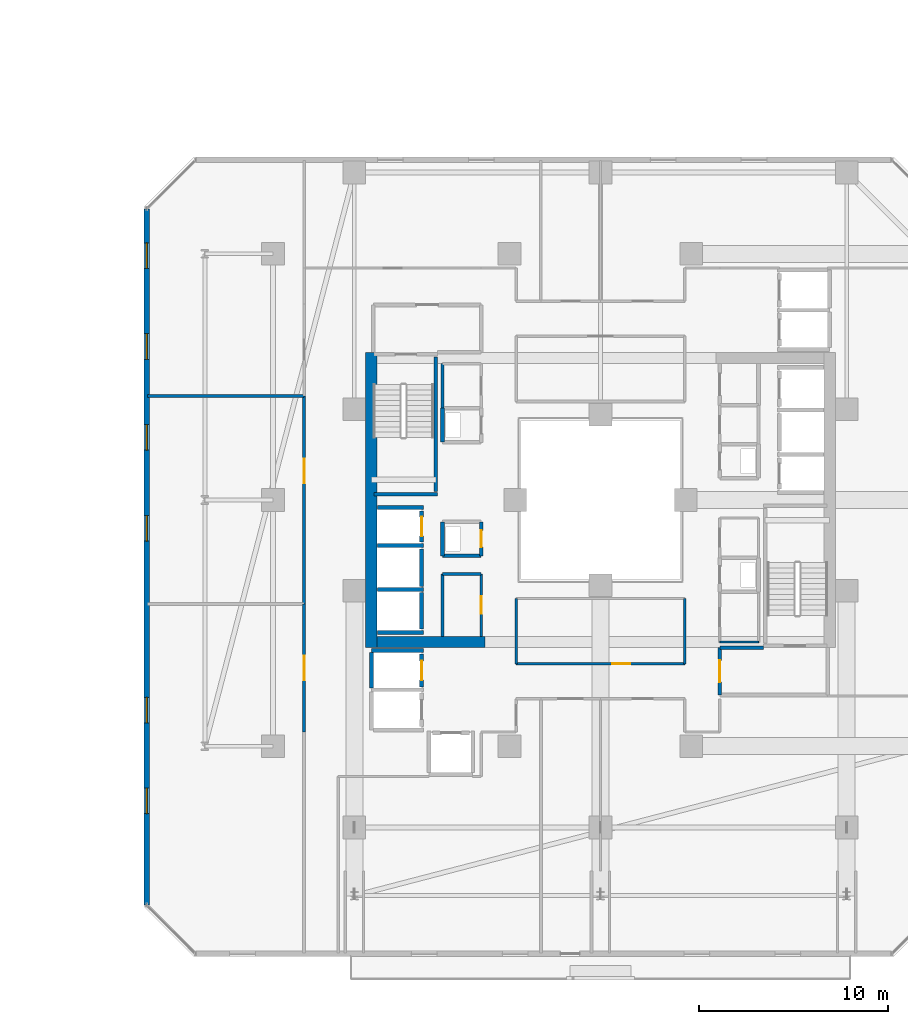
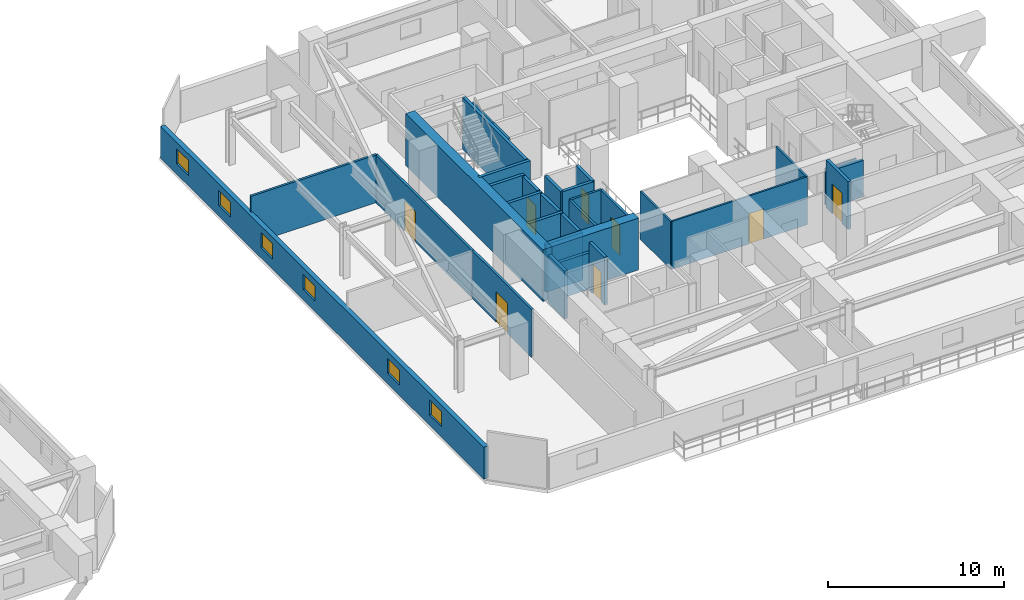
# One storey, part 26 of 36: 32 walls, 8 doors, 6 windows, 14 openings.
"""IFC4 building model written with IfcOpenShell, lengths in metres."""

import ifcopenshell
import ifcopenshell.guid

model = None  # the IFC model being written
_history = None  # IfcOwnerHistory: only IFC2X3 demands one
_inside = {}  # id of a spatial element -> (the spatial element, [elements in it])
_under = {}  # id of a project, library or spatial element -> (it, [spatial elements below it])
_declared = {}  # id of a project -> (the project, [libraries it declares])
_typed = {}  # id of a type object -> (the type object, [elements of that type])
_made_of = {}  # id of a material, layer set ... -> (it, [elements and type objects made of it])


def new_model(schema):
    """Start an empty IFC model of exactly this schema.

    Asked for "IFC4X3", IfcOpenShell would pick the latest addendum, in which some entities
    have other attributes; the version numbers below select the first issue.
    IFC2X3 requires an IfcOwnerHistory on every rooted entity: one is made here for all.
    """
    global model, _history
    if schema == "IFC4X3":
        model = ifcopenshell.file(schema_version=(4, 3, 0, 0))
    else:
        model = ifcopenshell.file(schema=schema)
    _inside.clear()
    _under.clear()
    _declared.clear()
    _typed.clear()
    _made_of.clear()
    _history = None
    if model.schema == "IFC2X3":
        org = make("IfcOrganization", Name="unknown")
        user = make(
            "IfcPersonAndOrganization",
            ThePerson=make("IfcPerson", FamilyName="unknown"),
            TheOrganization=org,
        )
        app = make(
            "IfcApplication",
            ApplicationDeveloper=org,
            Version="unknown",
            ApplicationFullName="unknown",
            ApplicationIdentifier="unknown",
        )
        _history = make(
            "IfcOwnerHistory",
            OwningUser=user,
            OwningApplication=app,
            ChangeAction="ADDED",
            CreationDate=0,
        )
    return model


def make(cls, **values):
    """One entity of the class cls with the attributes given. An attribute that is None is left unset."""
    return model.create_entity(
        cls, **{name: value for name, value in values.items() if value is not None}
    )


def rooted(cls, **values):
    """An entity with a GlobalId (a new one), such as an element, a storey or a relation."""
    return make(cls, GlobalId=ifcopenshell.guid.new(), OwnerHistory=_history, **values)


def si_unit(unit_type, name, prefix=None):
    """IfcSIUnit, for example si_unit("LENGTHUNIT", "METRE", prefix="MILLI")."""
    return make("IfcSIUnit", UnitType=unit_type, Prefix=prefix, Name=name)


def assignment(units):
    """IfcUnitAssignment: the units of a project."""
    return None if units is None else make("IfcUnitAssignment", Units=units)


def point(xyz):
    """IfcCartesianPoint."""
    return None if xyz is None else make("IfcCartesianPoint", Coordinates=xyz)


def direction(xyz):
    """IfcDirection."""
    return None if xyz is None else make("IfcDirection", DirectionRatios=xyz)


def frame(location, z_axis=None, x_axis=None):
    """IfcAxis2Placement3D, a coordinate frame: its origin and axes. An axis left out is left unset."""
    return make(
        "IfcAxis2Placement3D",
        Location=point(location),
        Axis=direction(z_axis),
        RefDirection=direction(x_axis),
    )


def frame_2d(location, x_axis=None):
    """IfcAxis2Placement2D, a coordinate frame in the plane: its origin and x axis."""
    return make(
        "IfcAxis2Placement2D", Location=point(location), RefDirection=direction(x_axis)
    )


def origin():
    """The frame at (0, 0, 0) with its axes left unset."""
    return frame((0.0, 0.0, 0.0))


def place(relative_to, where):
    """IfcLocalPlacement: puts the frame where relative to a parent placement (None: the world)."""
    return make(
        "IfcLocalPlacement", PlacementRelTo=relative_to, RelativePlacement=where
    )


def context(
    kind, dimensions, precision=None, world=None, true_north=None, identifier=None
):
    """IfcGeometricRepresentationContext, for example the 3D "Model" context."""
    return make(
        "IfcGeometricRepresentationContext",
        ContextIdentifier=identifier,
        ContextType=kind,
        CoordinateSpaceDimension=dimensions,
        Precision=precision,
        WorldCoordinateSystem=world,
        TrueNorth=true_north,
    )


def subcontext(parent, identifier, kind, view, scale=None):
    """IfcGeometricRepresentationSubContext, for example "Body" below "Model"."""
    return make(
        "IfcGeometricRepresentationSubContext",
        ContextIdentifier=identifier,
        ContextType=kind,
        ParentContext=parent,
        TargetScale=scale,
        TargetView=view,
    )


def project(units=None, contexts=None):
    """IfcProject with its units and contexts."""
    return rooted(
        "IfcProject",
        Name="project",
        RepresentationContexts=contexts,
        UnitsInContext=assignment(units),
    )


def spatial(cls, under=None, at=None, **own):
    """A site, building, storey or space (cls), placed at a placement, below another one or the project."""
    s = rooted(cls, ObjectPlacement=at, **own)
    if under is not None:
        _under.setdefault(under.id(), (under, []))[1].append(s)
    return s


def profile(cls, at=None, kind="AREA", **sizes):
    """A parametric profile (cls). Its sizes go by their IFC names, for example OverallWidth=200.0."""
    return make(cls, ProfileType=kind, Position=at, **sizes)


def rectangle(**sizes):
    """IfcRectangleProfileDef."""
    return profile("IfcRectangleProfileDef", **sizes)


def extrude(swept, where, along, depth):
    """IfcExtrudedAreaSolid: the profile swept, set in the frame where, extruded along a direction by depth."""
    return make(
        "IfcExtrudedAreaSolid",
        SweptArea=swept,
        Position=where,
        ExtrudedDirection=direction(along),
        Depth=depth,
    )


def shape(context_of_items, identifier, shape_type, items):
    """IfcShapeRepresentation: the items that make up one representation, for example the "Body"."""
    return make(
        "IfcShapeRepresentation",
        ContextOfItems=context_of_items,
        RepresentationIdentifier=identifier,
        RepresentationType=shape_type,
        Items=items,
    )


def material(Name=None, Category=None):
    """IfcMaterial."""
    return make("IfcMaterial", Name=Name, Category=Category)


def layer(
    of_material, thickness, ventilated=None, Name=None, Category=None, Priority=None
):
    """IfcMaterialLayer: one layer of a wall or slab, of a material (None: an air gap)."""
    return make(
        "IfcMaterialLayer",
        Material=of_material,
        LayerThickness=thickness,
        IsVentilated=ventilated,
        Name=Name,
        Category=Category,
        Priority=Priority,
    )


def layer_set(layers, Name=None):
    """IfcMaterialLayerSet."""
    return make("IfcMaterialLayerSet", MaterialLayers=layers, LayerSetName=Name)


def made_of(thing, what):
    """Note that an element or type object is made of a material, layer set ...; save() writes the relation."""
    if what is not None:
        _made_of.setdefault(what.id(), (what, []))[1].append(thing)
    return thing


def type_object(cls, material=None, **own):
    """A type object (cls), such as IfcWallType, which elements share."""
    return made_of(rooted(cls, **own), material)


def element(
    cls,
    number,
    at=None,
    inside=None,
    cuts=None,
    type_object=None,
    material=None,
    context=None,
    identifier="Body",
    shape_type=None,
    held_by="IfcProductDefinitionShape",
    body=None,
    shapes=None,
    **own,
):
    """One element of the class cls, such as IfcWall. Its Tag is "e" and its number.

    at: its placement. inside: the storey or other place that contains it. cuts: it is an
    opening in that element (IfcRelVoidsElement). A single representation is given by context,
    identifier, shape_type and body (its items); several are given by shapes. held_by: the class
    of the entity that holds the representations. save() writes the other relations.
    """
    e = rooted(cls, Tag="e%d" % number, ObjectPlacement=at, **own)
    if body is not None:
        shapes = [shape(context, identifier, shape_type, body)]
    if shapes is not None:
        e.Representation = make(held_by, Representations=shapes)
    if inside is not None:
        _inside.setdefault(inside.id(), (inside, []))[1].append(e)
    if cuts is not None:
        rooted(
            "IfcRelVoidsElement", RelatingBuildingElement=cuts, RelatedOpeningElement=e
        )
    if type_object is not None:
        _typed.setdefault(type_object.id(), (type_object, []))[1].append(e)
    return made_of(e, material)


def fill(opening, filler):
    """IfcRelFillsElement: the door or window that sits in an opening."""
    return rooted(
        "IfcRelFillsElement",
        RelatingOpeningElement=opening,
        RelatedBuildingElement=filler,
    )


def aggregate(whole, parts):
    """IfcRelAggregates: a whole, such as a stair, and the parts it consists of."""
    return rooted("IfcRelAggregates", RelatingObject=whole, RelatedObjects=parts)


def save(model, path):
    """Write the relations noted so far, then the file.

    IfcRelAggregates (storeys below a building ...), IfcRelContainedInSpatialStructure (elements
    in a storey), IfcRelDefinesByType, IfcRelAssociatesMaterial and IfcRelDeclares: one each for
    every whole, place, type object, material and project.
    """
    for whole, parts in _under.values():
        aggregate(whole, parts)
    for where, things in _inside.values():
        rooted(
            "IfcRelContainedInSpatialStructure",
            RelatedElements=things,
            RelatingStructure=where,
        )
    for kind, things in _typed.values():
        rooted("IfcRelDefinesByType", RelatedObjects=things, RelatingType=kind)
    for what, things in _made_of.values():
        rooted("IfcRelAssociatesMaterial", RelatedObjects=things, RelatingMaterial=what)
    for by, libraries in _declared.values():
        rooted("IfcRelDeclares", RelatingContext=by, RelatedDefinitions=libraries)
    model.write(path)


model = new_model("IFC4")

# Units and contexts
model_context = context("Model", 3, precision=1e-05, world=origin(), true_north=direction((0.0, 1.0)))
body_context = subcontext(model_context, "Body", "Model", "MODEL_VIEW")
ifc_project = project(units=[si_unit("LENGTHUNIT", "METRE"), si_unit("AREAUNIT", "SQUARE_METRE"), si_unit("VOLUMEUNIT", "CUBIC_METRE"), si_unit("PLANEANGLEUNIT", "RADIAN"), si_unit("MASSUNIT", "GRAM", prefix="KILO")], contexts=[model_context])

# Site, building, storey
site_placement = place(None, origin())
site = spatial("IfcSite", under=ifc_project, at=site_placement, CompositionType="ELEMENT")
building_placement = place(site_placement, origin())
building = spatial("IfcBuilding", under=site, at=building_placement, Name="Thornwick Lancets Civic Towers", CompositionType="ELEMENT")
storey_placement = place(building_placement, frame((0.0, 0.0, 116.10009765625)))
storey = spatial("IfcBuildingStorey", under=building, at=storey_placement, Name="L30", CompositionType="ELEMENT", Elevation=116.10009765625)

# Wall, opening, door
ifc_material_1 = material(Name="Concrete blockwork C40/50", Category="masonry")
ifc_layer_1 = layer(ifc_material_1, 0.199951171875, Name="Concrete blockwork C40/50")
ifc_layer_set_1 = layer_set([ifc_layer_1], Name="Concrete blockwork C40/50")
wall_type_1 = type_object("IfcWallType", Name="WALL_COMP_200", PredefinedType="STANDARD", material=ifc_layer_set_1)
wall_1_placement = place(storey_placement, frame((79.050048828125, 24.780029296875, 0.0), z_axis=(0.0, 0.0, 1.0), x_axis=(0.0, 1.0, 0.0)))
wall_1 = element("IfcWall", 1, at=wall_1_placement, inside=storey, type_object=wall_type_1, Name="L30 Hoistway Front Wall FL-B2", PredefinedType="STANDARD", context=body_context, shape_type="SweptSolid", body=[
    extrude(rectangle(XDim=1.639892578125, YDim=0.199951171875, at=frame_2d((0.81982421875, 0.0))), origin(), (0.0, 0.0, 1.0), 3.31982421875),
])
opening_1_placement = place(wall_1_placement, frame((0.31005859375, 0.0, 0.0)))
opening_1 = element("IfcOpeningElement", 2, at=opening_1_placement, cuts=wall_1, Name="Opening LD-FL-B2", PredefinedType="OPENING", context=body_context, shape_type="SweptSolid", body=[
    extrude(rectangle(XDim=1.02001953125, YDim=2.06005859375, at=frame_2d((0.510009765625, 1.030029296875))), frame((0.0, 0.10986328125, 0.0), z_axis=(0.0, -1.0, 0.0), x_axis=(1.0, 0.0, 0.0)), (0.0, 0.0, 1.0), 0.219970703125),
])
ifc_material_2 = material(Name="Brushed bronze stainless steel", Category="steel")
door_type_1 = type_object("IfcDoorType", Name="DOOR_LIFT_SLIDE", OperationType="SLIDING_TO_LEFT", PredefinedType="DOOR", material=ifc_material_2)
door_1_placement = place(opening_1_placement, origin())
door_1 = element("IfcDoor", 3, at=door_1_placement, inside=storey, type_object=door_type_1, Name="L30 Sliding Lift Landing Door LD-FL-B2", OperationType="SLIDING_TO_LEFT", OverallHeight=2.06005859375, OverallWidth=1.02001953125, PredefinedType="DOOR", context=body_context, shape_type="SweptSolid", body=[
    extrude(rectangle(XDim=1.02001953125, YDim=2.06005859375, at=frame_2d((0.510009765625, 1.030029296875))), frame((0.0, 0.02490234375, 0.0), z_axis=(0.0, -1.0, 0.0), x_axis=(1.0, 0.0, 0.0)), (0.0, 0.0, 1.0), 0.050048828125),
])
fill(opening_1, door_1)

# Walls
wall_2_placement = place(storey_placement, frame((79.050048828125, 22.429931640625, 0.0), z_axis=(0.0, 0.0, 1.0), x_axis=(0.0, 1.0, 0.0)))
element("IfcWall", 4, at=wall_2_placement, inside=storey, type_object=wall_type_1, Name="L30 Hoistway Front Wall PL-BH2", PredefinedType="STANDARD", context=body_context, shape_type="SweptSolid", body=[
    extrude(rectangle(XDim=1.989990234375, YDim=0.199951171875, at=frame_2d((0.9951171875, 0.0))), origin(), (0.0, 0.0, 1.0), 3.31982421875),
])
wall_3_placement = place(storey_placement, frame((79.050048828125, 20.179931640625, 0.0), z_axis=(0.0, 0.0, 1.0), x_axis=(0.0, 1.0, 0.0)))
element("IfcWall", 5, at=wall_3_placement, inside=storey, type_object=wall_type_1, Name="L30 Hoistway Front Wall PL-BH3", PredefinedType="STANDARD", context=body_context, shape_type="SweptSolid", body=[
    extrude(rectangle(XDim=1.940185546875, YDim=0.199951171875, at=frame_2d((0.97021484375, 0.0))), origin(), (0.0, 0.0, 1.0), 3.31982421875),
])

# Wall, opening, door
wall_4_placement = place(storey_placement, frame((79.050048828125, 17.1298828125, 0.0), z_axis=(0.0, 0.0, 1.0), x_axis=(0.0, 1.0, 0.0)))
wall_4 = element("IfcWall", 6, at=wall_4_placement, inside=storey, type_object=wall_type_1, Name="L30 Hoistway Front Wall PL-BM1", PredefinedType="STANDARD", context=body_context, shape_type="SweptSolid", body=[
    extrude(rectangle(XDim=1.740234375, YDim=0.199951171875, at=frame_2d((0.8701171875, 0.0))), origin(), (0.0, 0.0, 1.0), 3.31982421875),
])
opening_2_placement = place(wall_4_placement, frame((0.360107421875, 0.0, 0.0)))
opening_2 = element("IfcOpeningElement", 7, at=opening_2_placement, cuts=wall_4, Name="Opening LD-PL-BM1", PredefinedType="OPENING", context=body_context, shape_type="SweptSolid", body=[
    extrude(rectangle(XDim=1.02001953125, YDim=2.06005859375, at=frame_2d((0.510009765625, 1.030029296875))), frame((0.0, 0.10986328125, 0.0), z_axis=(0.0, -1.0, 0.0), x_axis=(1.0, 0.0, 0.0)), (0.0, 0.0, 1.0), 0.219970703125),
])
door_2_placement = place(opening_2_placement, origin())
door_2 = element("IfcDoor", 8, at=door_2_placement, inside=storey, type_object=door_type_1, Name="L30 Sliding Lift Landing Door LD-PL-BM1", OperationType="SLIDING_TO_LEFT", OverallHeight=2.06005859375, OverallWidth=1.02001953125, PredefinedType="DOOR", context=body_context, shape_type="SweptSolid", body=[
    extrude(rectangle(XDim=1.02001953125, YDim=2.06005859375, at=frame_2d((0.510009765625, 1.030029296875))), frame((0.0, 0.02490234375, 0.0), z_axis=(0.0, -1.0, 0.0), x_axis=(1.0, 0.0, 0.0)), (0.0, 0.0, 1.0), 0.050048828125),
])
fill(opening_2, door_2)

# Walls
for number, where, z_axis, x_axis, name in (
    (9, (76.7119140625, 26.60009765625, 0.0), (0.0, 0.0, 1.0), (1.0, 0.0, 0.0), "L30 Hoistway Shaft Wall FL-B2 N"),
    (10, (76.7119140625, 24.60009765625, 0.0), (0.0, 0.0, 1.0), (1.0, 0.0, 0.0), "L30 Hoistway Shaft Wall FL-B2 S"),
    (11, (76.7119140625, 22.27490234375, 0.0), (0.0, 0.0, 1.0), (1.0, 0.0, 0.0), "L30 Hoistway Shaft Wall PL-BH2 S"),
    (12, (76.7119140625, 20.0, 0.0), (0.0, 0.0, 1.0), (1.0, 0.0, 0.0), "L30 Hoistway Shaft Wall PL-BH3 S"),
):
    element("IfcWall", number, at=place(storey_placement, frame(where, z_axis=z_axis, x_axis=x_axis)), inside=storey, type_object=wall_type_1, Name=name, PredefinedType="STANDARD", context=body_context, shape_type="SweptSolid", body=[
        extrude(rectangle(XDim=2.43603515625, YDim=0.199951171875, at=frame_2d((1.218017578125, 0.0))), origin(), (0.0, 0.0, 1.0), 3.31982421875),
    ])
wall_5_placement = place(storey_placement, frame((76.402099609375, 19.050048828125, 0.0), z_axis=(0.0, 0.0, 1.0), x_axis=(1.0, 0.0, 0.0)))
element("IfcWall", 13, at=wall_5_placement, inside=storey, type_object=wall_type_1, Name="L30 Hoistway Shaft Wall PL-BM1 N", PredefinedType="STANDARD", context=body_context, shape_type="SweptSolid", body=[
    extrude(rectangle(XDim=2.745849609375, YDim=0.199951171875, at=frame_2d((1.373046875, 0.0))), origin(), (0.0, 0.0, 1.0), 2.52490234375),
])
wall_6_placement = place(storey_placement, frame((76.39990234375, 17.08203125, 0.0), z_axis=(0.0, 0.0, 1.0), x_axis=(0.0, 1.0, 0.0)))
element("IfcWall", 14, at=wall_6_placement, inside=storey, type_object=wall_type_1, Name="L30 Hoistway Shaft Wall PL-BM1 W", PredefinedType="STANDARD", context=body_context, shape_type="SweptSolid", body=[
    extrude(rectangle(XDim=1.85595703125, YDim=0.199951171875, at=frame_2d((0.927978515625, 0.0))), origin(), (0.0, 0.0, 1.0), 3.31982421875),
])
wall_7_placement = place(storey_placement, frame((97.10009765625, 19.199951171875, 0.0), z_axis=(0.0, 0.0, 1.0), x_axis=(-1.0, 0.0, 0.0)))
element("IfcWall", 15, at=wall_7_placement, inside=storey, type_object=wall_type_1, Name="L30 Partition L30-B-FFLOB1 E3", PredefinedType="STANDARD", context=body_context, shape_type="SweptSolid", body=[
    extrude(rectangle(XDim=2.300048828125, YDim=0.199951171875, at=frame_2d((1.14990234375, 0.0))), origin(), (0.0, 0.0, 1.0), 2.52490234375),
])

# Wall, opening, door
wall_8_placement = place(storey_placement, frame((94.800048828125, 19.199951171875, 0.0), z_axis=(0.0, 0.0, 1.0), x_axis=(0.0, -1.0, 0.0)))
wall_8 = element("IfcWall", 16, at=wall_8_placement, inside=storey, type_object=wall_type_1, Name="L30 Partition L30-B-FFLOB1 E4", PredefinedType="STANDARD", context=body_context, shape_type="SweptSolid", body=[
    extrude(rectangle(XDim=2.5, YDim=0.199951171875, at=frame_2d((1.25, 0.0))), origin(), (0.0, 0.0, 1.0), 3.31982421875),
])
opening_3_placement = place(wall_8_placement, frame((0.675048828125, 0.0, 0.0)))
opening_3 = element("IfcOpeningElement", 17, at=opening_3_placement, cuts=wall_8, Name="Opening D-L30-1381", PredefinedType="OPENING", context=body_context, shape_type="SweptSolid", body=[
    extrude(rectangle(XDim=1.14990234375, YDim=2.10009765625, at=frame_2d((0.574951171875, 1.050048828125))), frame((0.0, 0.10986328125, 0.0), z_axis=(0.0, -1.0, 0.0), x_axis=(1.0, 0.0, 0.0)), (0.0, 0.0, 1.0), 0.219970703125),
])
ifc_material_3 = material(Name="Glazed fire-resisting steel", Category="steel")
door_type_2 = type_object("IfcDoorType", Name="DOOR_LOBBY_FD60", OperationType="NOTDEFINED", PredefinedType="DOOR", material=ifc_material_3)
door_3_placement = place(opening_3_placement, origin())
door_3 = element("IfcDoor", 18, at=door_3_placement, inside=storey, type_object=door_type_2, Name="L30 East Firefighting Lobby 1 Door", OperationType="SINGLE_SWING_RIGHT", OverallHeight=2.10009765625, OverallWidth=1.14990234375, PredefinedType="DOOR", context=body_context, shape_type="SweptSolid", body=[
    extrude(rectangle(XDim=1.14990234375, YDim=2.10009765625, at=frame_2d((0.574951171875, 1.050048828125))), frame((0.0, 0.02490234375, 0.0), z_axis=(0.0, -1.0, 0.0), x_axis=(1.0, 0.0, 0.0)), (0.0, 0.0, 1.0), 0.050048828125),
])
fill(opening_3, door_3)

# Wall
wall_9_placement = place(storey_placement, frame((80.14990234375, 24.050048828125, 0.0), z_axis=(0.0, 0.0, 1.0), x_axis=(1.0, 0.0, 0.0)))
element("IfcWall", 19, at=wall_9_placement, inside=storey, type_object=wall_type_1, Name="L30 Partition L30-B-DUCT2 E1", PredefinedType="STANDARD", context=body_context, shape_type="SweptSolid", body=[
    extrude(rectangle(XDim=2.050048828125, YDim=0.199951171875, at=frame_2d((1.02490234375, 0.0))), origin(), (0.0, 0.0, 1.0), 3.31982421875),
])

# Wall, opening, door
wall_10_placement = place(storey_placement, frame((82.199951171875, 24.050048828125, 0.0), z_axis=(0.0, 0.0, 1.0), x_axis=(0.0, 1.0, 0.0)))
wall_10 = element("IfcWall", 20, at=wall_10_placement, inside=storey, type_object=wall_type_1, Name="L30 Partition L30-B-DUCT2 E2", PredefinedType="STANDARD", context=body_context, shape_type="SweptSolid", body=[
    extrude(rectangle(XDim=1.800048828125, YDim=0.199951171875, at=frame_2d((0.89990234375, 0.0))), origin(), (0.0, 0.0, 1.0), 3.31982421875),
])
opening_4_placement = place(wall_10_placement, frame((0.4599609375, 0.0, 0.0)))
opening_4 = element("IfcOpeningElement", 21, at=opening_4_placement, cuts=wall_10, Name="Opening D-L30-1385", PredefinedType="OPENING", context=body_context, shape_type="SweptSolid", body=[
    extrude(rectangle(XDim=0.8798828125, YDim=2.0400390625, at=frame_2d((0.43994140625, 1.02001953125))), frame((0.0, 0.10986328125, 0.0), z_axis=(0.0, -1.0, 0.0), x_axis=(1.0, 0.0, 0.0)), (0.0, 0.0, 1.0), 0.219970703125),
])
ifc_material_4 = material(Name="Steel riser access doorset", Category="steel")
door_type_3 = type_object("IfcDoorType", Name="DOOR_RISER_850", OperationType="NOTDEFINED", PredefinedType="DOOR", material=ifc_material_4)
door_4_placement = place(opening_4_placement, origin())
door_4 = element("IfcDoor", 22, at=door_4_placement, inside=storey, type_object=door_type_3, Name="L30 West Service Duct 2 Door", OperationType="SINGLE_SWING_RIGHT", OverallHeight=2.0400390625, OverallWidth=0.8798828125, PredefinedType="DOOR", context=body_context, shape_type="SweptSolid", body=[
    extrude(rectangle(XDim=0.8798828125, YDim=2.0400390625, at=frame_2d((0.43994140625, 1.02001953125))), frame((0.0, 0.02490234375, 0.0), z_axis=(0.0, -1.0, 0.0), x_axis=(1.0, 0.0, 0.0)), (0.0, 0.0, 1.0), 0.050048828125),
])
fill(opening_4, door_4)

# Walls
for number, where, z_axis, x_axis, name in (
    (23, (80.14990234375, 25.85009765625, 0.0), (0.0, 0.0, 1.0), (0.0, -1.0, 0.0), "L30 Partition L30-B-DUCT2 E4"),
    (24, (80.14990234375, 31.85009765625, 0.0), (0.0, 0.0, 1.0), (0.0, -1.0, 0.0), "L30 Partition L30-B-RISER2 E4"),
):
    element("IfcWall", number, at=place(storey_placement, frame(where, z_axis=z_axis, x_axis=x_axis)), inside=storey, type_object=wall_type_1, Name=name, PredefinedType="STANDARD", context=body_context, shape_type="SweptSolid", body=[
        extrude(rectangle(XDim=1.800048828125, YDim=0.199951171875, at=frame_2d((0.89990234375, 0.0))), origin(), (0.0, 0.0, 1.0), 3.31982421875),
    ])
ifc_material_5 = material(Name="Concrete C60/75", Category="concrete")
ifc_layer_2 = layer(ifc_material_5, 0.60009765625, Name="Concrete C60/75")
ifc_layer_set_2 = layer_set([ifc_layer_2], Name="Concrete C60/75")
wall_type_2 = type_object("IfcWallType", Name="WALL_CORE_600", PredefinedType="SHEAR", material=ifc_layer_set_2)
wall_11_placement = place(storey_placement, frame((76.39990234375, 19.199951171875, 0.0), z_axis=(0.0, 0.0, 1.0), x_axis=(0.0, 1.0, 0.0)))
element("IfcWall", 25, at=wall_11_placement, inside=storey, type_object=wall_type_2, Name="L30 Split Core B2 Shear Wall W", PredefinedType="SHEAR", context=body_context, shape_type="SweptSolid", body=[
    extrude(rectangle(XDim=15.60009765625, YDim=0.60009765625, at=frame_2d((7.800048828125, 0.0))), origin(), (0.0, 0.0, 1.0), 3.599853515625),
])
wall_12_placement = place(storey_placement, frame((76.699951171875, 19.5, 0.0), z_axis=(0.0, 0.0, 1.0), x_axis=(1.0, 0.0, 0.0)))
element("IfcWall", 26, at=wall_12_placement, inside=storey, type_object=wall_type_2, Name="L30 Split Core B2 Shear Wall S", PredefinedType="SHEAR", context=body_context, shape_type="SweptSolid", body=[
    extrude(rectangle(XDim=5.699951171875, YDim=0.60009765625, at=frame_2d((2.85009765625, 0.0))), origin(), (0.0, 0.0, 1.0), 3.599853515625),
])

# Wall, openings, windows
ifc_material_6 = material(Name="Insulated russet terracotta rainscreen on concrete C40/50", Category="masonry")
ifc_layer_3 = layer(ifc_material_6, 0.300048828125, Name="Insulated russet terracotta rainscreen on concrete C40/50")
ifc_layer_set_3 = layer_set([ifc_layer_3], Name="Insulated russet terracotta rainscreen on concrete C40/50")
wall_type_3 = type_object("IfcWallType", Name="WALL_EXT_RUSSET_300", PredefinedType="STANDARD", material=ifc_layer_set_3)
wall_13_placement = place(storey_placement, frame((64.535400390625, 42.38134765625, 0.0), z_axis=(0.0, 0.0, 1.0), x_axis=(0.0, -1.0, 0.0)))
wall_13 = element("IfcWall", 27, at=wall_13_placement, inside=storey, type_object=wall_type_3, Name="L30 Tower B Terracotta Facade Wall E6", PredefinedType="STANDARD", context=body_context, shape_type="SweptSolid", body=[
    extrude(rectangle(XDim=36.7626953125, YDim=0.300048828125, at=frame_2d((18.38134765625, 0.0))), origin(), (0.0, 0.0, 1.0), 2.219970703125),
])
opening_5_placement = place(wall_13_placement, frame((1.800048828125, 0.0, 0.719970703125)))
opening_5 = element("IfcOpeningElement", 28, at=opening_5_placement, cuts=wall_13, Name="Opening WL-03", PredefinedType="OPENING", context=body_context, shape_type="SweptSolid", body=[
    extrude(rectangle(XDim=1.35009765625, YDim=1.050048828125, at=frame_2d((0.675048828125, 0.52490234375))), frame((0.0, 0.16015625, 0.0), z_axis=(0.0, -1.0, 0.0), x_axis=(1.0, 0.0, 0.0)), (0.0, 0.0, 1.0), 0.320068359375),
])
opening_6_placement = place(wall_13_placement, frame((6.60009765625, 0.0, 0.719970703125)))
opening_6 = element("IfcOpeningElement", 29, at=opening_6_placement, cuts=wall_13, Name="Opening WL-03", PredefinedType="OPENING", context=body_context, shape_type="SweptSolid", body=[
    extrude(rectangle(XDim=1.35009765625, YDim=1.050048828125, at=frame_2d((0.675048828125, 0.52490234375))), frame((0.0, 0.16015625, 0.0), z_axis=(0.0, -1.0, 0.0), x_axis=(1.0, 0.0, 0.0)), (0.0, 0.0, 1.0), 0.320068359375),
])
opening_7_placement = place(wall_13_placement, frame((11.39990234375, 0.0, 0.719970703125)))
opening_7 = element("IfcOpeningElement", 30, at=opening_7_placement, cuts=wall_13, Name="Opening WL-03", PredefinedType="OPENING", context=body_context, shape_type="SweptSolid", body=[
    extrude(rectangle(XDim=1.35009765625, YDim=1.050048828125, at=frame_2d((0.675048828125, 0.52490234375))), frame((0.0, 0.16015625, 0.0), z_axis=(0.0, -1.0, 0.0), x_axis=(1.0, 0.0, 0.0)), (0.0, 0.0, 1.0), 0.320068359375),
])
opening_8_placement = place(wall_13_placement, frame((16.199951171875, 0.0, 0.719970703125)))
opening_8 = element("IfcOpeningElement", 31, at=opening_8_placement, cuts=wall_13, Name="Opening WL-03", PredefinedType="OPENING", context=body_context, shape_type="SweptSolid", body=[
    extrude(rectangle(XDim=1.35009765625, YDim=1.050048828125, at=frame_2d((0.675048828125, 0.52490234375))), frame((0.0, 0.16015625, 0.0), z_axis=(0.0, -1.0, 0.0), x_axis=(1.0, 0.0, 0.0)), (0.0, 0.0, 1.0), 0.320068359375),
])
opening_9_placement = place(wall_13_placement, frame((25.800048828125, 0.0, 0.719970703125)))
opening_9 = element("IfcOpeningElement", 32, at=opening_9_placement, cuts=wall_13, Name="Opening WL-03", PredefinedType="OPENING", context=body_context, shape_type="SweptSolid", body=[
    extrude(rectangle(XDim=1.35009765625, YDim=1.050048828125, at=frame_2d((0.675048828125, 0.52490234375))), frame((0.0, 0.16015625, 0.0), z_axis=(0.0, -1.0, 0.0), x_axis=(1.0, 0.0, 0.0)), (0.0, 0.0, 1.0), 0.320068359375),
])
opening_10_placement = place(wall_13_placement, frame((30.60009765625, 0.0, 0.719970703125)))
opening_10 = element("IfcOpeningElement", 33, at=opening_10_placement, cuts=wall_13, Name="Opening WL-03", PredefinedType="OPENING", context=body_context, shape_type="SweptSolid", body=[
    extrude(rectangle(XDim=1.35009765625, YDim=1.050048828125, at=frame_2d((0.675048828125, 0.52490234375))), frame((0.0, 0.16015625, 0.0), z_axis=(0.0, -1.0, 0.0), x_axis=(1.0, 0.0, 0.0)), (0.0, 0.0, 1.0), 0.320068359375),
])
ifc_material_7 = material(Name="Clear low-e double glazing clerestory lancet", Category="glass")
window_type = type_object("IfcWindowType", Name="WIN_LANCET_1350", PartitioningType="SINGLE_PANEL", PredefinedType="WINDOW", material=ifc_material_7)
window_1_placement = place(opening_5_placement, origin())
window_1 = element("IfcWindow", 34, at=window_1_placement, inside=storey, type_object=window_type, Name="L30 Tower B Staggered Lancet Window E6-1", OverallHeight=1.050048828125, OverallWidth=1.35009765625, PartitioningType="SINGLE_PANEL", PredefinedType="WINDOW", context=body_context, shape_type="SweptSolid", body=[
    extrude(rectangle(XDim=1.35009765625, YDim=1.050048828125, at=frame_2d((0.675048828125, 0.52490234375))), frame((0.0, 0.030029296875, 0.0), z_axis=(0.0, -1.0, 0.0), x_axis=(1.0, 0.0, 0.0)), (0.0, 0.0, 1.0), 0.06005859375),
])
fill(opening_5, window_1)
window_2_placement = place(opening_6_placement, origin())
window_2 = element("IfcWindow", 35, at=window_2_placement, inside=storey, type_object=window_type, Name="L30 Tower B Staggered Lancet Window E6-2", OverallHeight=1.050048828125, OverallWidth=1.35009765625, PartitioningType="SINGLE_PANEL", PredefinedType="WINDOW", context=body_context, shape_type="SweptSolid", body=[
    extrude(rectangle(XDim=1.35009765625, YDim=1.050048828125, at=frame_2d((0.675048828125, 0.52490234375))), frame((0.0, 0.030029296875, 0.0), z_axis=(0.0, -1.0, 0.0), x_axis=(1.0, 0.0, 0.0)), (0.0, 0.0, 1.0), 0.06005859375),
])
fill(opening_6, window_2)
window_3_placement = place(opening_7_placement, origin())
window_3 = element("IfcWindow", 36, at=window_3_placement, inside=storey, type_object=window_type, Name="L30 Tower B Staggered Lancet Window E6-3", OverallHeight=1.050048828125, OverallWidth=1.35009765625, PartitioningType="SINGLE_PANEL", PredefinedType="WINDOW", context=body_context, shape_type="SweptSolid", body=[
    extrude(rectangle(XDim=1.35009765625, YDim=1.050048828125, at=frame_2d((0.675048828125, 0.52490234375))), frame((0.0, 0.030029296875, 0.0), z_axis=(0.0, -1.0, 0.0), x_axis=(1.0, 0.0, 0.0)), (0.0, 0.0, 1.0), 0.06005859375),
])
fill(opening_7, window_3)
window_4_placement = place(opening_8_placement, origin())
window_4 = element("IfcWindow", 37, at=window_4_placement, inside=storey, type_object=window_type, Name="L30 Tower B Staggered Lancet Window E6-4", OverallHeight=1.050048828125, OverallWidth=1.35009765625, PartitioningType="SINGLE_PANEL", PredefinedType="WINDOW", context=body_context, shape_type="SweptSolid", body=[
    extrude(rectangle(XDim=1.35009765625, YDim=1.050048828125, at=frame_2d((0.675048828125, 0.52490234375))), frame((0.0, 0.030029296875, 0.0), z_axis=(0.0, -1.0, 0.0), x_axis=(1.0, 0.0, 0.0)), (0.0, 0.0, 1.0), 0.06005859375),
])
fill(opening_8, window_4)
window_5_placement = place(opening_9_placement, origin())
window_5 = element("IfcWindow", 38, at=window_5_placement, inside=storey, type_object=window_type, Name="L30 Tower B Staggered Lancet Window E6-5", OverallHeight=1.050048828125, OverallWidth=1.35009765625, PartitioningType="SINGLE_PANEL", PredefinedType="WINDOW", context=body_context, shape_type="SweptSolid", body=[
    extrude(rectangle(XDim=1.35009765625, YDim=1.050048828125, at=frame_2d((0.675048828125, 0.52490234375))), frame((0.0, 0.030029296875, 0.0), z_axis=(0.0, -1.0, 0.0), x_axis=(1.0, 0.0, 0.0)), (0.0, 0.0, 1.0), 0.06005859375),
])
fill(opening_9, window_5)
window_6_placement = place(opening_10_placement, origin())
window_6 = element("IfcWindow", 39, at=window_6_placement, inside=storey, type_object=window_type, Name="L30 Tower B Staggered Lancet Window E6-6", OverallHeight=1.050048828125, OverallWidth=1.35009765625, PartitioningType="SINGLE_PANEL", PredefinedType="WINDOW", context=body_context, shape_type="SweptSolid", body=[
    extrude(rectangle(XDim=1.35009765625, YDim=1.050048828125, at=frame_2d((0.675048828125, 0.52490234375))), frame((0.0, 0.030029296875, 0.0), z_axis=(0.0, -1.0, 0.0), x_axis=(1.0, 0.0, 0.0)), (0.0, 0.0, 1.0), 0.06005859375),
])
fill(opening_10, window_6)

# Walls
ifc_material_8 = material(Name="Lightweight cellular office partition")
ifc_layer_4 = layer(ifc_material_8, 0.10009765625, Name="Lightweight cellular office partition")
ifc_layer_set_4 = layer_set([ifc_layer_4], Name="Lightweight cellular office partition")
wall_type_4 = type_object("IfcWallType", Name="WALL_PART_100", PredefinedType="PARTITIONING", material=ifc_layer_set_4)
wall_14_placement = place(storey_placement, frame((94.800048828125, 19.5, 0.0), z_axis=(0.0, 0.0, 1.0), x_axis=(1.0, 0.0, 0.0)))
element("IfcWall", 40, at=wall_14_placement, inside=storey, type_object=wall_type_4, Name="L30 Partition L30-B-CLN E1", PredefinedType="PARTITIONING", context=body_context, shape_type="SweptSolid", body=[
    extrude(rectangle(XDim=2.050048828125, YDim=0.10009765625, at=frame_2d((1.02490234375, 0.0))), origin(), (0.0, 0.0, 1.0), 2.52490234375),
])
ifc_material_9 = material(Name="Acoustic gypsum board partition")
ifc_layer_5 = layer(ifc_material_9, 0.1201171875, Name="Acoustic gypsum board partition")
ifc_layer_set_5 = layer_set([ifc_layer_5], Name="Acoustic gypsum board partition")
wall_type_5 = type_object("IfcWallType", Name="WALL_PART_120", PredefinedType="PARTITIONING", material=ifc_layer_set_5)
for number, where, z_axis, x_axis, name in (
    (41, (84.050048828125, 18.35009765625, 0.0), (0.0, 0.0, 1.0), (0.0, 1.0, 0.0), "L30 Partition L30-B-ATR-W E1"),
    (42, (92.949951171875, 21.800048828125, 0.0), (0.0, 0.0, 1.0), (0.0, -1.0, 0.0), "L30 Partition L30-B-ATR-W E3"),
):
    element("IfcWall", number, at=place(storey_placement, frame(where, z_axis=z_axis, x_axis=x_axis)), inside=storey, type_object=wall_type_5, Name=name, PredefinedType="PARTITIONING", context=body_context, shape_type="SweptSolid", body=[
        extrude(rectangle(XDim=3.449951171875, YDim=0.1201171875, at=frame_2d((1.72509765625, 0.0))), origin(), (0.0, 0.0, 1.0), 3.31982421875),
    ])

# Wall, opening, door
wall_15_placement = place(storey_placement, frame((92.949951171875, 18.35009765625, 0.0), z_axis=(0.0, 0.0, 1.0), x_axis=(-1.0, 0.0, 0.0)))
wall_15 = element("IfcWall", 43, at=wall_15_placement, inside=storey, type_object=wall_type_5, Name="L30 Partition L30-B-ATR-W E4", PredefinedType="PARTITIONING", context=body_context, shape_type="SweptSolid", body=[
    extrude(rectangle(XDim=8.89990234375, YDim=0.1201171875, at=frame_2d((4.449951171875, 0.0))), origin(), (0.0, 0.0, 1.0), 3.31982421875),
])
opening_11_placement = place(wall_15_placement, frame((2.875, 0.0, 0.0)))
opening_11 = element("IfcOpeningElement", 44, at=opening_11_placement, cuts=wall_15, Name="Opening D-L30-1411", PredefinedType="OPENING", context=body_context, shape_type="SweptSolid", body=[
    extrude(rectangle(XDim=0.949951171875, YDim=2.10009765625, at=frame_2d((0.47509765625, 1.050048828125))), frame((0.0, 0.070068359375, 0.0), z_axis=(0.0, -1.0, 0.0), x_axis=(1.0, 0.0, 0.0)), (0.0, 0.0, 1.0), 0.14013671875),
])
ifc_material_10 = material(Name="European oak acoustic doorset")
door_type_4 = type_object("IfcDoorType", Name="DOOR_OFFICE_950", OperationType="NOTDEFINED", PredefinedType="DOOR", material=ifc_material_10)
door_5_placement = place(opening_11_placement, origin())
door_5 = element("IfcDoor", 45, at=door_5_placement, inside=storey, type_object=door_type_4, Name="L30 Tower B West Atrium Study Lounge Door", OperationType="SINGLE_SWING_RIGHT", OverallHeight=2.10009765625, OverallWidth=0.949951171875, PredefinedType="DOOR", context=body_context, shape_type="SweptSolid", body=[
    extrude(rectangle(XDim=0.949951171875, YDim=2.10009765625, at=frame_2d((0.47509765625, 1.050048828125))), frame((0.0, 0.02490234375, 0.0), z_axis=(0.0, -1.0, 0.0), x_axis=(1.0, 0.0, 0.0)), (0.0, 0.0, 1.0), 0.050048828125),
])
fill(opening_11, door_5)

ifc_material_11 = material(Name="Twin-stud acoustic gypsum board")
ifc_layer_6 = layer(ifc_material_11, 0.14990234375, Name="Twin-stud acoustic gypsum board")
ifc_layer_set_6 = layer_set([ifc_layer_6], Name="Twin-stud acoustic gypsum board")
wall_type_6 = type_object("IfcWallType", Name="WALL_PART_150", PredefinedType="PARTITIONING", material=ifc_layer_set_6)
wall_16_placement = place(storey_placement, frame((82.199951171875, 19.800048828125, 0.0), z_axis=(0.0, 0.0, 1.0), x_axis=(0.0, 1.0, 0.0)))
wall_16 = element("IfcWall", 46, at=wall_16_placement, inside=storey, type_object=wall_type_6, Name="L30 Partition L30-B-MWC E2", PredefinedType="PARTITIONING", context=body_context, shape_type="SweptSolid", body=[
    extrude(rectangle(XDim=3.300048828125, YDim=0.14990234375, at=frame_2d((1.64990234375, 0.0))), origin(), (0.0, 0.0, 1.0), 3.31982421875),
])
opening_12_placement = place(wall_16_placement, frame((1.18994140625, 0.0, 0.0)))
opening_12 = element("IfcOpeningElement", 47, at=opening_12_placement, cuts=wall_16, Name="Opening D-L30-1391", PredefinedType="OPENING", context=body_context, shape_type="SweptSolid", body=[
    extrude(rectangle(XDim=0.919921875, YDim=2.080078125, at=frame_2d((0.4599609375, 1.0400390625))), frame((0.0, 0.0849609375, 0.0), z_axis=(0.0, -1.0, 0.0), x_axis=(1.0, 0.0, 0.0)), (0.0, 0.0, 1.0), 0.169921875),
])
ifc_material_12 = material(Name="Moisture-resistant oak doorset")
door_type_5 = type_object("IfcDoorType", Name="DOOR_WC_900", OperationType="NOTDEFINED", PredefinedType="DOOR", material=ifc_material_12)
door_6_placement = place(opening_12_placement, origin())
door_6 = element("IfcDoor", 48, at=door_6_placement, inside=storey, type_object=door_type_5, Name="L30 Tower B Male WC Door", OperationType="SINGLE_SWING_RIGHT", OverallHeight=2.080078125, OverallWidth=0.919921875, PredefinedType="DOOR", context=body_context, shape_type="SweptSolid", body=[
    extrude(rectangle(XDim=0.919921875, YDim=2.080078125, at=frame_2d((0.4599609375, 1.0400390625))), frame((0.0, 0.02490234375, 0.0), z_axis=(0.0, -1.0, 0.0), x_axis=(1.0, 0.0, 0.0)), (0.0, 0.0, 1.0), 0.050048828125),
])
fill(opening_12, door_6)

# Walls
wall_17_placement = place(storey_placement, frame((82.199951171875, 23.10009765625, 0.0), z_axis=(0.0, 0.0, 1.0), x_axis=(-1.0, 0.0, 0.0)))
element("IfcWall", 49, at=wall_17_placement, inside=storey, type_object=wall_type_6, Name="L30 Partition L30-B-MWC E3", PredefinedType="PARTITIONING", context=body_context, shape_type="SweptSolid", body=[
    extrude(rectangle(XDim=2.050048828125, YDim=0.14990234375, at=frame_2d((1.02490234375, 0.0))), origin(), (0.0, 0.0, 1.0), 3.31982421875),
])
wall_18_placement = place(storey_placement, frame((80.14990234375, 23.10009765625, 0.0), z_axis=(0.0, 0.0, 1.0), x_axis=(0.0, -1.0, 0.0)))
element("IfcWall", 50, at=wall_18_placement, inside=storey, type_object=wall_type_6, Name="L30 Partition L30-B-MWC E4", PredefinedType="PARTITIONING", context=body_context, shape_type="SweptSolid", body=[
    extrude(rectangle(XDim=3.300048828125, YDim=0.14990234375, at=frame_2d((1.64990234375, 0.0))), origin(), (0.0, 0.0, 1.0), 3.31982421875),
])
wall_19_placement = place(storey_placement, frame((80.14990234375, 31.85009765625, 0.0), z_axis=(0.0, 0.0, 1.0), x_axis=(0.0, 1.0, 0.0)))
element("IfcWall", 51, at=wall_19_placement, inside=storey, type_object=wall_type_6, Name="L30 Partition L30-B-FWC E1", PredefinedType="PARTITIONING", context=body_context, shape_type="SweptSolid", body=[
    extrude(rectangle(XDim=2.349853515625, YDim=0.14990234375, at=frame_2d((1.1748046875, 0.0))), origin(), (0.0, 0.0, 1.0), 3.31982421875),
])

# Wall, opening, door
wall_20_placement = place(storey_placement, frame((72.85009765625, 21.5, 0.0), z_axis=(0.0, 0.0, 1.0), x_axis=(0.0, -1.0, 0.0)))
wall_20 = element("IfcWall", 52, at=wall_20_placement, inside=storey, type_object=wall_type_6, Name="L30 Partition L30-B-N-CONF E6", PredefinedType="PARTITIONING", context=body_context, shape_type="SweptSolid", body=[
    extrude(rectangle(XDim=6.75, YDim=0.14990234375, at=frame_2d((3.375, 0.0))), origin(), (0.0, 0.0, 1.0), 3.31982421875),
])
opening_13_placement = place(wall_20_placement, frame((2.72509765625, 0.0, 0.0)))
opening_13 = element("IfcOpeningElement", 53, at=opening_13_placement, cuts=wall_20, Name="Opening D-L30-1412", PredefinedType="OPENING", context=body_context, shape_type="SweptSolid", body=[
    extrude(rectangle(XDim=1.300048828125, YDim=2.1201171875, at=frame_2d((0.64990234375, 1.06005859375))), frame((0.0, 0.0849609375, 0.0), z_axis=(0.0, -1.0, 0.0), x_axis=(1.0, 0.0, 0.0)), (0.0, 0.0, 1.0), 0.169921875),
])
ifc_material_13 = material(Name="Acoustic oak leaf-and-a-half doorset")
door_type_6 = type_object("IfcDoorType", Name="DOOR_MEET_1300", OperationType="DOUBLE_DOOR_SINGLE_SWING", PredefinedType="DOOR", material=ifc_material_13)
door_7_placement = place(opening_13_placement, origin())
door_7 = element("IfcDoor", 54, at=door_7_placement, inside=storey, type_object=door_type_6, Name="L30 Tower B North-West Conference Room Door", OperationType="DOUBLE_DOOR_SINGLE_SWING", OverallHeight=2.1201171875, OverallWidth=1.300048828125, PredefinedType="DOOR", context=body_context, shape_type="SweptSolid", body=[
    extrude(rectangle(XDim=1.300048828125, YDim=2.1201171875, at=frame_2d((0.64990234375, 1.06005859375))), frame((0.0, 0.02490234375, 0.0), z_axis=(0.0, -1.0, 0.0), x_axis=(1.0, 0.0, 0.0)), (0.0, 0.0, 1.0), 0.050048828125),
])
fill(opening_13, door_7)

# Wall
wall_21_placement = place(storey_placement, frame((64.580078125, 32.5, 0.0), z_axis=(0.0, 0.0, 1.0), x_axis=(1.0, 0.0, 0.0)))
element("IfcWall", 55, at=wall_21_placement, inside=storey, type_object=wall_type_6, Name="L30 Partition L30-B-N-MEET E3", PredefinedType="PARTITIONING", context=body_context, shape_type="SweptSolid", body=[
    extrude(rectangle(XDim=8.27001953125, YDim=0.14990234375, at=frame_2d((4.135009765625, 0.0))), origin(), (0.0, 0.0, 1.0), 3.31982421875),
])

# Wall, opening, door
wall_22_placement = place(storey_placement, frame((72.85009765625, 32.5, 0.0), z_axis=(0.0, 0.0, 1.0), x_axis=(0.0, -1.0, 0.0)))
wall_22 = element("IfcWall", 56, at=wall_22_placement, inside=storey, type_object=wall_type_6, Name="L30 Partition L30-B-N-MEET E4", PredefinedType="PARTITIONING", context=body_context, shape_type="SweptSolid", body=[
    extrude(rectangle(XDim=11.0, YDim=0.14990234375, at=frame_2d((5.5, 0.0))), origin(), (0.0, 0.0, 1.0), 3.31982421875),
])
opening_14_placement = place(wall_22_placement, frame((3.31005859375, 0.0, 0.0)))
opening_14 = element("IfcOpeningElement", 57, at=opening_14_placement, cuts=wall_22, Name="Opening D-L30-1413", PredefinedType="OPENING", context=body_context, shape_type="SweptSolid", body=[
    extrude(rectangle(XDim=1.300048828125, YDim=2.1201171875, at=frame_2d((0.64990234375, 1.06005859375))), frame((0.0, 0.0849609375, 0.0), z_axis=(0.0, -1.0, 0.0), x_axis=(1.0, 0.0, 0.0)), (0.0, 0.0, 1.0), 0.169921875),
])
door_8_placement = place(opening_14_placement, origin())
door_8 = element("IfcDoor", 58, at=door_8_placement, inside=storey, type_object=door_type_6, Name="L30 Tower B North Briefing Chamber Door", OperationType="DOUBLE_DOOR_SINGLE_SWING", OverallHeight=2.1201171875, OverallWidth=1.300048828125, PredefinedType="DOOR", context=body_context, shape_type="SweptSolid", body=[
    extrude(rectangle(XDim=1.300048828125, YDim=2.1201171875, at=frame_2d((0.64990234375, 1.06005859375))), frame((0.0, 0.02490234375, 0.0), z_axis=(0.0, -1.0, 0.0), x_axis=(1.0, 0.0, 0.0)), (0.0, 0.0, 1.0), 0.050048828125),
])
fill(opening_14, door_8)

# Walls
ifc_material_14 = material(Name="Concrete C40/50", Category="concrete")
ifc_layer_7 = layer(ifc_material_14, 0.199951171875, Name="Concrete C40/50")
ifc_layer_set_7 = layer_set([ifc_layer_7], Name="Concrete C40/50")
wall_type_7 = type_object("IfcWallType", Name="WALL_SHAFT_200", PredefinedType="SHEAR", material=ifc_layer_set_7)
wall_23_placement = place(storey_placement, frame((79.89990234375, 27.300048828125, 0.0), z_axis=(0.0, 0.0, 1.0), x_axis=(-1.0, 0.0, 0.0)))
element("IfcWall", 59, at=wall_23_placement, inside=storey, type_object=wall_type_7, Name="L30 ST-B2 Fire Stair Core Wall FAR", PredefinedType="SHEAR", context=body_context, shape_type="SweptSolid", body=[
    extrude(rectangle(XDim=3.349853515625, YDim=0.199951171875, at=frame_2d((1.6748046875, 0.0))), origin(), (0.0, 0.0, 1.0), 3.599853515625),
])
wall_24_placement = place(storey_placement, frame((79.797119140625, 27.449951171875, 0.0), z_axis=(0.0, 0.0, 1.0), x_axis=(0.0, 1.0, 0.0)))
element("IfcWall", 60, at=wall_24_placement, inside=storey, type_object=wall_type_7, Name="L30 ST-B2 Fire Stair Core Wall RIGHT", PredefinedType="SHEAR", context=body_context, shape_type="SweptSolid", body=[
    extrude(rectangle(XDim=7.10009765625, YDim=0.199951171875, at=frame_2d((3.550048828125, 0.0))), origin(), (0.0, 0.0, 1.0), 3.599853515625),
])

save(model, "model.ifc")
